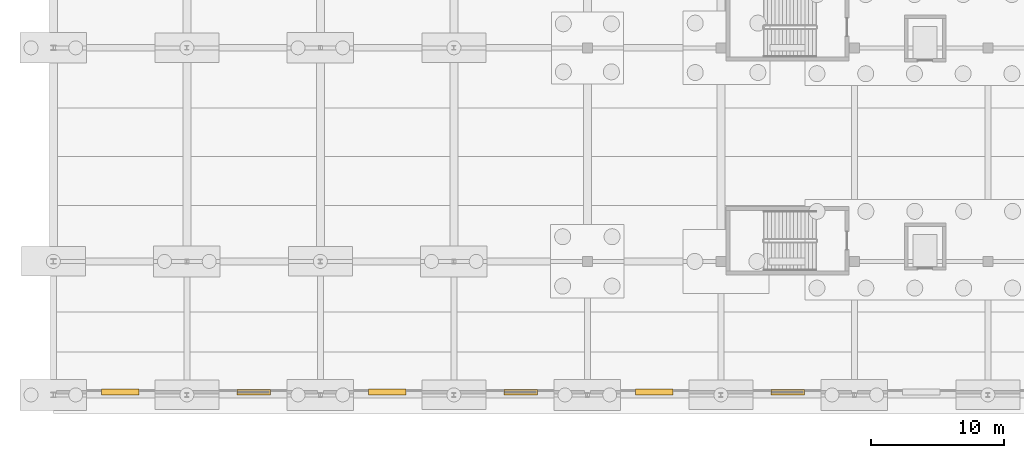
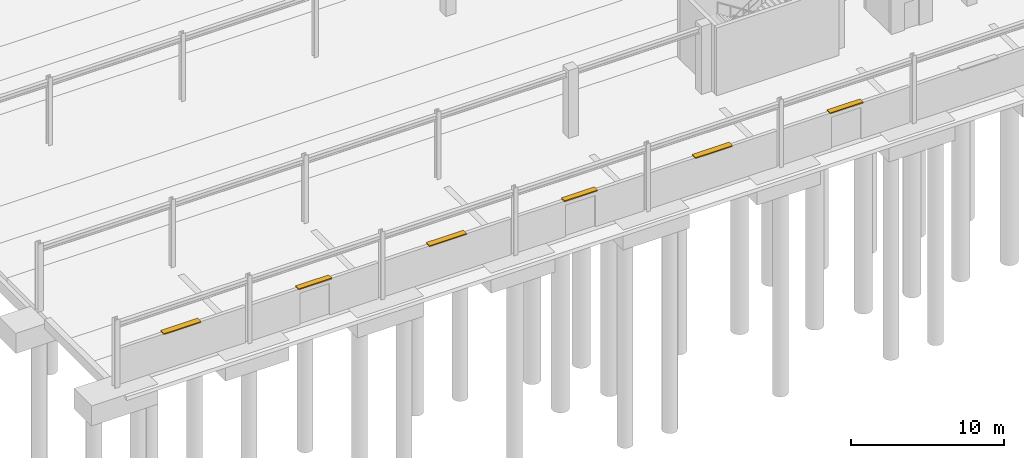
# One storey, part 87 of 99: 6 shading devices.
"""IFC4 building model written with IfcOpenShell, lengths in metres."""

from ifc_helpers import new_model, si_unit, direction, frame, origin, origin_2d, place, context, subcontext, project, spatial, rectangle, extrude, material, layer, layer_set, type_object, element, save


model = new_model("IFC4")

# Units and contexts
model_context = context("Model", 3, precision=1e-05, world=origin(), true_north=direction((0.0, 1.0)))
body_context = subcontext(model_context, "Body", "Model", "MODEL_VIEW")
ifc_project = project(units=[si_unit("LENGTHUNIT", "METRE"), si_unit("AREAUNIT", "SQUARE_METRE"), si_unit("VOLUMEUNIT", "CUBIC_METRE"), si_unit("PLANEANGLEUNIT", "RADIAN"), si_unit("MASSUNIT", "GRAM", prefix="KILO")], contexts=[model_context])

# Site, building, storey
site_placement = place(None, origin())
site = spatial("IfcSite", under=ifc_project, at=site_placement, CompositionType="ELEMENT")
building_placement = place(site_placement, origin())
building = spatial("IfcBuilding", under=site, at=building_placement, Name="Kivolera Central Railway Station", CompositionType="ELEMENT")
storey_placement = place(building_placement, origin())
storey = spatial("IfcBuildingStorey", under=building, at=storey_placement, Name="L00", CompositionType="ELEMENT", Elevation=0.0)

# Shading devices
ifc_material = material(Name="Anodised aluminium", Category="aluminium")
ifc_layer_1 = layer(ifc_material, 0.080078125, Name="Anodised aluminium")
ifc_layer_set_1 = layer_set([ifc_layer_1], Name="Anodised aluminium")
shading_device_type_1 = type_object("IfcShadingDeviceType", Name="BS-LVR-A", PredefinedType="JALOUSIE", material=ifc_layer_set_1)
for number, where, z_axis, x_axis, name in (
    (1, (13.0, 6.199951171875, 2.845947265625), (0.0, 0.0, 1.0), (1.0, 0.0, 0.0), "Platform Monsoon Wind-Baffle Louvre 01"),
    (2, (33.0, 6.199951171875, 2.845947265625), (0.0, 0.0, 1.0), (1.0, 0.0, 0.0), "Platform Monsoon Wind-Baffle Louvre 03"),
    (3, (53.0, 6.199951171875, 2.845947265625), (0.0, 0.0, 1.0), (1.0, 0.0, 0.0), "Platform Monsoon Wind-Baffle Louvre 05"),
):
    element("IfcShadingDevice", number, at=place(storey_placement, frame(where, z_axis=z_axis, x_axis=x_axis)), inside=storey, type_object=shading_device_type_1, Name=name, PredefinedType="JALOUSIE", context=body_context, shape_type="SweptSolid", body=[
        extrude(rectangle(XDim=2.800048828125, YDim=0.449951171875, at=origin_2d()), origin(), (0.0, 0.0, 1.0), 0.080078125),
    ])
ifc_layer_2 = layer(ifc_material, 0.0849609375, Name="Anodised aluminium")
ifc_layer_set_2 = layer_set([ifc_layer_2], Name="Anodised aluminium")
shading_device_type_2 = type_object("IfcShadingDeviceType", Name="BS-LVR-C", PredefinedType="JALOUSIE", material=ifc_layer_set_2)
for number, where, z_axis, x_axis, name in (
    (4, (23.0, 6.199951171875, 2.846435546875), (0.0, 0.0, 1.0), (1.0, 0.0, 0.0), "Platform Monsoon Wind-Baffle Louvre 02"),
    (5, (43.0, 6.199951171875, 2.846435546875), (0.0, 0.0, 1.0), (1.0, 0.0, 0.0), "Platform Monsoon Wind-Baffle Louvre 04"),
    (6, (63.0, 6.199951171875, 2.846435546875), (0.0, 0.0, 1.0), (1.0, 0.0, 0.0), "Platform Monsoon Wind-Baffle Louvre 06"),
):
    element("IfcShadingDevice", number, at=place(storey_placement, frame(where, z_axis=z_axis, x_axis=x_axis)), inside=storey, type_object=shading_device_type_2, Name=name, PredefinedType="JALOUSIE", context=body_context, shape_type="SweptSolid", body=[
        extrude(rectangle(XDim=2.5, YDim=0.419921875, at=origin_2d()), origin(), (0.0, 0.0, 1.0), 0.0849609375),
    ])

save(model, "model.ifc")
